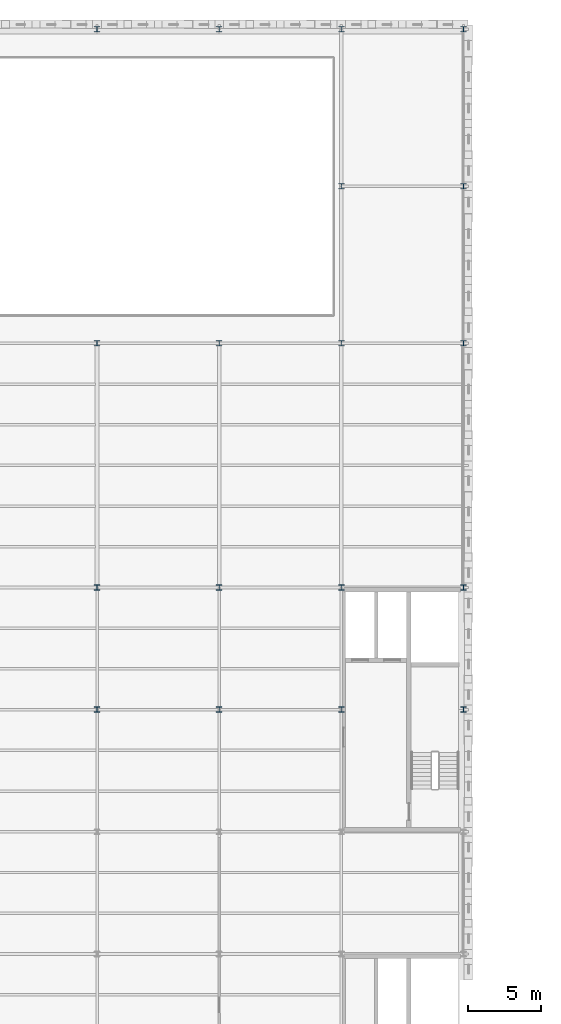
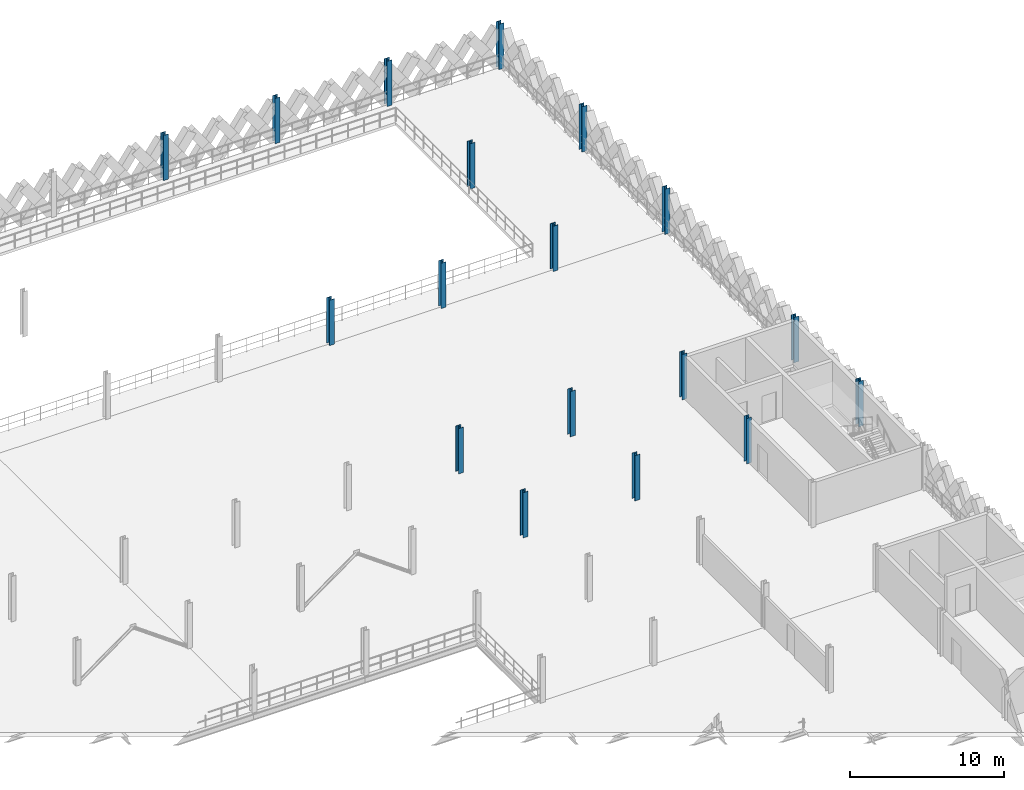
# One storey, part 12 of 74: 18 columns.
"""IFC4 building model written with IfcOpenShell, lengths in metres."""

from ifc_helpers import new_model, si_unit, direction, frame, origin, origin_2d, place, context, subcontext, project, spatial, i_section, extrude, material, material_profile, profile_set, type_object, element, save


model = new_model("IFC4")

# Units and contexts
model_context = context("Model", 3, precision=1e-05, world=origin(), true_north=direction((0.0, 1.0)))
body_context = subcontext(model_context, "Body", "Model", "MODEL_VIEW")
ifc_project = project(units=[si_unit("LENGTHUNIT", "METRE"), si_unit("AREAUNIT", "SQUARE_METRE"), si_unit("VOLUMEUNIT", "CUBIC_METRE"), si_unit("PLANEANGLEUNIT", "RADIAN"), si_unit("MASSUNIT", "GRAM", prefix="KILO"), si_unit("THERMODYNAMICTEMPERATUREUNIT", "KELVIN"), si_unit("POWERUNIT", "WATT")], contexts=[model_context])

# Site, building, storey
site_placement = place(None, origin())
site = spatial("IfcSite", under=ifc_project, at=site_placement, CompositionType="ELEMENT")
building_placement = place(site_placement, origin())
building = spatial("IfcBuilding", under=site, at=building_placement, Name="Tembeka Court Mobility Hub", CompositionType="ELEMENT")
storey_placement = place(building_placement, frame((0.0, 0.0, 12.60009765625)))
storey = spatial("IfcBuildingStorey", under=building, at=storey_placement, Name="L03", CompositionType="ELEMENT", Elevation=12.60009765625)

# Columns
ifc_material = material(Name="Steel S355", Category="steel")
ifc_material_profile = material_profile(ifc_material, i_section(OverallWidth=0.373046875, OverallDepth=0.367919921875, WebThickness=0.014404296875, FlangeThickness=0.023681640625, FilletRadius=0.01513671875, at=origin_2d()), Name="UKC 356x368x177")
ifc_profile_set = profile_set([ifc_material_profile], Name="Steel S355")
column_type = type_object("IfcColumnType", Name="COL-C03", PredefinedType="COLUMN", material=ifc_profile_set)
for number, where, z_axis, x_axis, name in (
    (1, (67.199951171875, 72.0, 0.0), (0.0, 0.0, 1.0), (1.0, 0.0, 0.0), "Column C03 (L03-099)"),
    (2, (67.199951171875, 80.39990234375, 0.0), (0.0, 0.0, 1.0), (1.0, 0.0, 0.0), "Column C03 (L03-100)"),
    (3, (67.199951171875, 97.199951171875, 0.0), (0.0, 0.0, 1.0), (1.0, 0.0, 0.0), "Column C03 (L03-101)"),
    (4, (67.199951171875, 118.800048828125, 0.0), (0.0, 0.0, 1.0), (1.0, 0.0, 0.0), "Column C03 (L03-102)"),
    (5, (75.60009765625, 72.0, 0.0), (0.0, 0.0, 1.0), (1.0, 0.0, 0.0), "Column C03 (L03-109)"),
    (6, (75.60009765625, 80.39990234375, 0.0), (0.0, 0.0, 1.0), (1.0, 0.0, 0.0), "Column C03 (L03-110)"),
    (7, (75.60009765625, 97.199951171875, 0.0), (0.0, 0.0, 1.0), (1.0, 0.0, 0.0), "Column C03 (L03-111)"),
    (8, (75.60009765625, 118.800048828125, 0.0), (0.0, 0.0, 1.0), (1.0, 0.0, 0.0), "Column C03 (L03-112)"),
    (9, (84.0, 72.0, 0.0), (0.0, 0.0, 1.0), (1.0, 0.0, 0.0), "Column C03 (L03-120)"),
    (10, (84.0, 80.39990234375, 0.0), (0.0, 0.0, 1.0), (1.0, 0.0, 0.0), "Column C03 (L03-121)"),
    (11, (84.0, 97.199951171875, 0.0), (0.0, 0.0, 1.0), (1.0, 0.0, 0.0), "Column C03 (L03-122)"),
    (12, (84.0, 108.0, 0.0), (0.0, 0.0, 1.0), (1.0, 0.0, 0.0), "Column C03 (L03-123)"),
    (13, (84.0, 118.800048828125, 0.0), (0.0, 0.0, 1.0), (1.0, 0.0, 0.0), "Column C03 (L03-124)"),
    (14, (92.39990234375, 72.0, 0.0), (0.0, 0.0, 1.0), (1.0, 0.0, 0.0), "Column C03 (L03-132)"),
    (15, (92.39990234375, 80.39990234375, 0.0), (0.0, 0.0, 1.0), (1.0, 0.0, 0.0), "Column C03 (L03-133)"),
    (16, (92.39990234375, 97.199951171875, 0.0), (0.0, 0.0, 1.0), (1.0, 0.0, 0.0), "Column C03 (L03-134)"),
    (17, (92.39990234375, 108.0, 0.0), (0.0, 0.0, 1.0), (1.0, 0.0, 0.0), "Column C03 (L03-135)"),
    (18, (92.39990234375, 118.800048828125, 0.0), (0.0, 0.0, 1.0), (1.0, 0.0, 0.0), "Column C03 (L03-136)"),
):
    element("IfcColumn", number, at=place(storey_placement, frame(where, z_axis=z_axis, x_axis=x_axis)), inside=storey, type_object=column_type, Name=name, PredefinedType="COLUMN", context=body_context, shape_type="SweptSolid", body=[
        extrude(i_section(OverallWidth=0.373046875, OverallDepth=0.367919921875, WebThickness=0.014404296875, FlangeThickness=0.023681640625, FilletRadius=0.01513671875, at=origin_2d()), origin(), (0.0, 0.0, 1.0), 3.599853515625),
    ])

save(model, "model.ifc")
